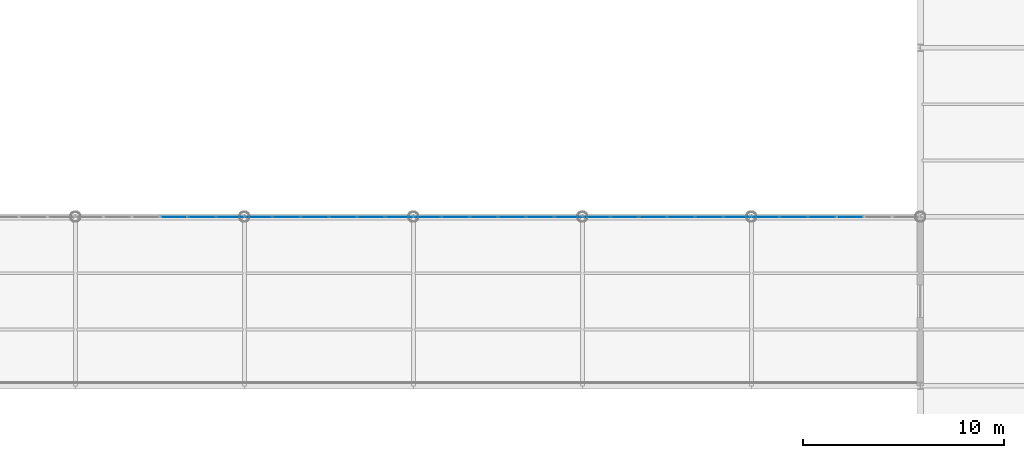
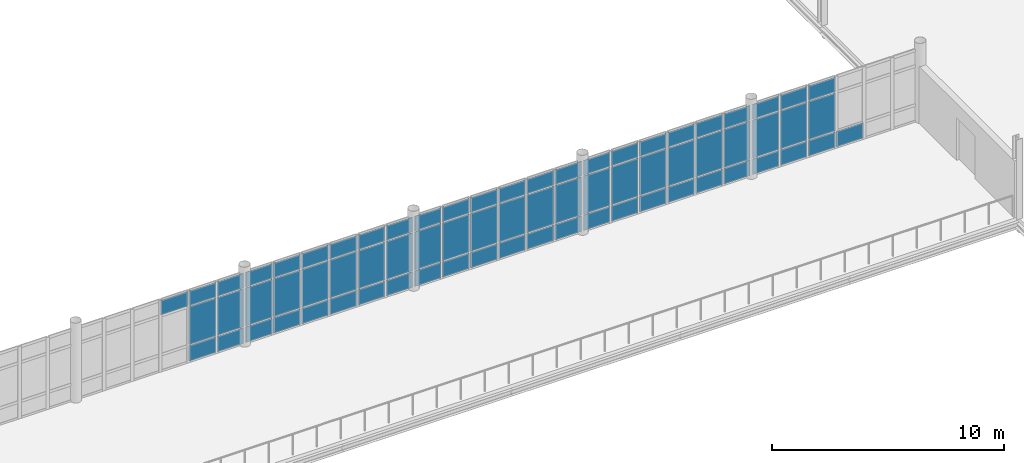
# One storey, part 117 of 163: 71 plates, 5 elements without a shape of their own.
"""IFC4 building model written with IfcOpenShell, lengths in metres."""

from ifc_helpers import new_model, si_unit, direction, frame, origin, origin_2d, place, context, subcontext, project, spatial, rectangle, extrude, material, layer, layer_set, type_object, element, aggregate, save


model = new_model("IFC4")

# Units and contexts
model_context = context("Model", 3, precision=1e-05, world=origin(), true_north=direction((0.0, 1.0)))
body_context = subcontext(model_context, "Body", "Model", "MODEL_VIEW")
ifc_project = project(units=[si_unit("LENGTHUNIT", "METRE"), si_unit("AREAUNIT", "SQUARE_METRE"), si_unit("VOLUMEUNIT", "CUBIC_METRE"), si_unit("PLANEANGLEUNIT", "RADIAN"), si_unit("MASSUNIT", "GRAM", prefix="KILO")], contexts=[model_context])

# Site, building, storey
site_placement = place(None, origin())
site = spatial("IfcSite", under=ifc_project, at=site_placement, CompositionType="ELEMENT")
building_placement = place(site_placement, origin())
building = spatial("IfcBuilding", under=site, at=building_placement, Name="Qalvenar Corner Mobility Hub", CompositionType="ELEMENT")
storey_placement = place(building_placement, frame((0.0, 0.0, 4.800048828125)))
storey = spatial("IfcBuildingStorey", under=building, at=storey_placement, Name="L01", CompositionType="ELEMENT", Elevation=4.800048828125)

# Curtain wall, plates
ifc_material_1 = material(Name="Anodised Aluminium and Low-E Glazing", Category="aluminium")
ifc_layer_1 = layer(ifc_material_1, 0.179931640625)
ifc_layer_set_1 = layer_set([ifc_layer_1], Name="Anodised Aluminium and Low-E Glazing")
curtain_wall_type = type_object("IfcCurtainWallType", Name="CW-CONC-84X42", PredefinedType="NOTDEFINED", material=ifc_layer_set_1)
curtain_wall_1_placement = place(storey_placement, origin())
curtain_wall_1 = element("IfcCurtainWall", 1, at=curtain_wall_1_placement, inside=storey, type_object=curtain_wall_type, Name="Glazed Curtain Wall CW-V1-L01-N2", PredefinedType="NOTDEFINED")
ifc_material_2 = material(Name="Solar-Control Low-E Double Glazing", Category="glass")
ifc_layer_2 = layer(ifc_material_2, 0.028076171875)
ifc_layer_set_2 = layer_set([ifc_layer_2], Name="Solar-Control Low-E Double Glazing")
plate_type = type_object("IfcPlateType", Name="PLT-CWP-GLZ1", PredefinedType="CURTAIN_PANEL", material=ifc_layer_set_2)
plate_1_placement = place(storey_placement, frame((74.885009765625, 33.60009765625, 0.054931640625), z_axis=(0.0, 0.0, 1.0), x_axis=(-1.0, 0.0, 0.0)))
plate_1 = element("IfcPlate", 2, at=plate_1_placement, type_object=plate_type, Name="CW-02 panel 1.1", PredefinedType="CURTAIN_PANEL", context=body_context, shape_type="SweptSolid", body=[
    extrude(rectangle(XDim=1.31005859375, YDim=0.028076171875, at=origin_2d()), origin(), (0.0, 0.0, 1.0), 0.8173828125),
])
plate_2_placement = place(storey_placement, frame((74.885009765625, 33.60009765625, 0.927490234375), z_axis=(0.0, 0.0, 1.0), x_axis=(-1.0, 0.0, 0.0)))
plate_2 = element("IfcPlate", 3, at=plate_2_placement, type_object=plate_type, Name="CW-02 panel 1.2", PredefinedType="CURTAIN_PANEL", context=body_context, shape_type="SweptSolid", body=[
    extrude(rectangle(XDim=1.31005859375, YDim=0.028076171875, at=origin_2d()), origin(), (0.0, 0.0, 1.0), 1.9951171875),
])
plate_3_placement = place(storey_placement, frame((74.885009765625, 33.60009765625, 2.977294921875), z_axis=(0.0, 0.0, 1.0), x_axis=(-1.0, 0.0, 0.0)))
plate_3 = element("IfcPlate", 4, at=plate_3_placement, type_object=plate_type, Name="CW-02 panel 1.3", PredefinedType="CURTAIN_PANEL", context=body_context, shape_type="SweptSolid", body=[
    extrude(rectangle(XDim=1.31005859375, YDim=0.028076171875, at=origin_2d()), origin(), (0.0, 0.0, 1.0), 0.767578125),
])
plate_4_placement = place(storey_placement, frame((73.5, 33.60009765625, 0.054931640625), z_axis=(0.0, 0.0, 1.0), x_axis=(-1.0, 0.0, 0.0)))
plate_4 = element("IfcPlate", 5, at=plate_4_placement, type_object=plate_type, Name="CW-02 panel 2.1", PredefinedType="CURTAIN_PANEL", context=body_context, shape_type="SweptSolid", body=[
    extrude(rectangle(XDim=1.340087890625, YDim=0.028076171875, at=origin_2d()), origin(), (0.0, 0.0, 1.0), 0.8173828125),
])
plate_5_placement = place(storey_placement, frame((73.5, 33.60009765625, 0.927490234375), z_axis=(0.0, 0.0, 1.0), x_axis=(-1.0, 0.0, 0.0)))
plate_5 = element("IfcPlate", 6, at=plate_5_placement, type_object=plate_type, Name="CW-02 panel 2.2", PredefinedType="CURTAIN_PANEL", context=body_context, shape_type="SweptSolid", body=[
    extrude(rectangle(XDim=1.340087890625, YDim=0.028076171875, at=origin_2d()), origin(), (0.0, 0.0, 1.0), 1.9951171875),
])
plate_6_placement = place(storey_placement, frame((73.5, 33.60009765625, 2.977294921875), z_axis=(0.0, 0.0, 1.0), x_axis=(-1.0, 0.0, 0.0)))
plate_6 = element("IfcPlate", 7, at=plate_6_placement, type_object=plate_type, Name="CW-02 panel 2.3", PredefinedType="CURTAIN_PANEL", context=body_context, shape_type="SweptSolid", body=[
    extrude(rectangle(XDim=1.340087890625, YDim=0.028076171875, at=origin_2d()), origin(), (0.0, 0.0, 1.0), 0.767578125),
])
plate_7_placement = place(storey_placement, frame((72.10009765625, 33.60009765625, 2.977294921875), z_axis=(0.0, 0.0, 1.0), x_axis=(-1.0, 0.0, 0.0)))
plate_7 = element("IfcPlate", 8, at=plate_7_placement, type_object=plate_type, Name="CW-02 panel 3.3", PredefinedType="CURTAIN_PANEL", context=body_context, shape_type="SweptSolid", body=[
    extrude(rectangle(XDim=1.340087890625, YDim=0.028076171875, at=origin_2d()), origin(), (0.0, 0.0, 1.0), 0.767578125),
])
aggregate(curtain_wall_1, [plate_1, plate_2, plate_3, plate_4, plate_5, plate_6, plate_7])

curtain_wall_2_placement = place(storey_placement, origin())
curtain_wall_2 = element("IfcCurtainWall", 9, at=curtain_wall_2_placement, inside=storey, type_object=curtain_wall_type, Name="Glazed Curtain Wall CW-V1-L01-N3", PredefinedType="NOTDEFINED")
plate_8_placement = place(storey_placement, frame((83.284912109375, 33.60009765625, 0.054931640625), z_axis=(0.0, 0.0, 1.0), x_axis=(-1.0, 0.0, 0.0)))
plate_8 = element("IfcPlate", 10, at=plate_8_placement, type_object=plate_type, Name="CW-02 panel 1.1", PredefinedType="CURTAIN_PANEL", context=body_context, shape_type="SweptSolid", body=[
    extrude(rectangle(XDim=1.31005859375, YDim=0.028076171875, at=origin_2d()), origin(), (0.0, 0.0, 1.0), 0.8173828125),
])
plate_9_placement = place(storey_placement, frame((83.284912109375, 33.60009765625, 0.927490234375), z_axis=(0.0, 0.0, 1.0), x_axis=(-1.0, 0.0, 0.0)))
plate_9 = element("IfcPlate", 11, at=plate_9_placement, type_object=plate_type, Name="CW-02 panel 1.2", PredefinedType="CURTAIN_PANEL", context=body_context, shape_type="SweptSolid", body=[
    extrude(rectangle(XDim=1.31005859375, YDim=0.028076171875, at=origin_2d()), origin(), (0.0, 0.0, 1.0), 1.9951171875),
])
plate_10_placement = place(storey_placement, frame((83.284912109375, 33.60009765625, 2.977294921875), z_axis=(0.0, 0.0, 1.0), x_axis=(-1.0, 0.0, 0.0)))
plate_10 = element("IfcPlate", 12, at=plate_10_placement, type_object=plate_type, Name="CW-02 panel 1.3", PredefinedType="CURTAIN_PANEL", context=body_context, shape_type="SweptSolid", body=[
    extrude(rectangle(XDim=1.31005859375, YDim=0.028076171875, at=origin_2d()), origin(), (0.0, 0.0, 1.0), 0.767578125),
])
plate_11_placement = place(storey_placement, frame((81.89990234375, 33.60009765625, 0.054931640625), z_axis=(0.0, 0.0, 1.0), x_axis=(-1.0, 0.0, 0.0)))
plate_11 = element("IfcPlate", 13, at=plate_11_placement, type_object=plate_type, Name="CW-02 panel 2.1", PredefinedType="CURTAIN_PANEL", context=body_context, shape_type="SweptSolid", body=[
    extrude(rectangle(XDim=1.340087890625, YDim=0.028076171875, at=origin_2d()), origin(), (0.0, 0.0, 1.0), 0.8173828125),
])
plate_12_placement = place(storey_placement, frame((81.89990234375, 33.60009765625, 0.927490234375), z_axis=(0.0, 0.0, 1.0), x_axis=(-1.0, 0.0, 0.0)))
plate_12 = element("IfcPlate", 14, at=plate_12_placement, type_object=plate_type, Name="CW-02 panel 2.2", PredefinedType="CURTAIN_PANEL", context=body_context, shape_type="SweptSolid", body=[
    extrude(rectangle(XDim=1.340087890625, YDim=0.028076171875, at=origin_2d()), origin(), (0.0, 0.0, 1.0), 1.9951171875),
])
plate_13_placement = place(storey_placement, frame((81.89990234375, 33.60009765625, 2.977294921875), z_axis=(0.0, 0.0, 1.0), x_axis=(-1.0, 0.0, 0.0)))
plate_13 = element("IfcPlate", 15, at=plate_13_placement, type_object=plate_type, Name="CW-02 panel 2.3", PredefinedType="CURTAIN_PANEL", context=body_context, shape_type="SweptSolid", body=[
    extrude(rectangle(XDim=1.340087890625, YDim=0.028076171875, at=origin_2d()), origin(), (0.0, 0.0, 1.0), 0.767578125),
])
plate_14_placement = place(storey_placement, frame((80.5, 33.60009765625, 0.054931640625), z_axis=(0.0, 0.0, 1.0), x_axis=(-1.0, 0.0, 0.0)))
plate_14 = element("IfcPlate", 16, at=plate_14_placement, type_object=plate_type, Name="CW-02 panel 3.1", PredefinedType="CURTAIN_PANEL", context=body_context, shape_type="SweptSolid", body=[
    extrude(rectangle(XDim=1.340087890625, YDim=0.028076171875, at=origin_2d()), origin(), (0.0, 0.0, 1.0), 0.8173828125),
])
plate_15_placement = place(storey_placement, frame((80.5, 33.60009765625, 0.927490234375), z_axis=(0.0, 0.0, 1.0), x_axis=(-1.0, 0.0, 0.0)))
plate_15 = element("IfcPlate", 17, at=plate_15_placement, type_object=plate_type, Name="CW-02 panel 3.2", PredefinedType="CURTAIN_PANEL", context=body_context, shape_type="SweptSolid", body=[
    extrude(rectangle(XDim=1.340087890625, YDim=0.028076171875, at=origin_2d()), origin(), (0.0, 0.0, 1.0), 1.9951171875),
])
plate_16_placement = place(storey_placement, frame((80.5, 33.60009765625, 2.977294921875), z_axis=(0.0, 0.0, 1.0), x_axis=(-1.0, 0.0, 0.0)))
plate_16 = element("IfcPlate", 18, at=plate_16_placement, type_object=plate_type, Name="CW-02 panel 3.3", PredefinedType="CURTAIN_PANEL", context=body_context, shape_type="SweptSolid", body=[
    extrude(rectangle(XDim=1.340087890625, YDim=0.028076171875, at=origin_2d()), origin(), (0.0, 0.0, 1.0), 0.767578125),
])
plate_17_placement = place(storey_placement, frame((79.10009765625, 33.60009765625, 0.054931640625), z_axis=(0.0, 0.0, 1.0), x_axis=(-1.0, 0.0, 0.0)))
plate_17 = element("IfcPlate", 19, at=plate_17_placement, type_object=plate_type, Name="CW-02 panel 4.1", PredefinedType="CURTAIN_PANEL", context=body_context, shape_type="SweptSolid", body=[
    extrude(rectangle(XDim=1.340087890625, YDim=0.028076171875, at=origin_2d()), origin(), (0.0, 0.0, 1.0), 0.8173828125),
])
plate_18_placement = place(storey_placement, frame((79.10009765625, 33.60009765625, 0.927490234375), z_axis=(0.0, 0.0, 1.0), x_axis=(-1.0, 0.0, 0.0)))
plate_18 = element("IfcPlate", 20, at=plate_18_placement, type_object=plate_type, Name="CW-02 panel 4.2", PredefinedType="CURTAIN_PANEL", context=body_context, shape_type="SweptSolid", body=[
    extrude(rectangle(XDim=1.340087890625, YDim=0.028076171875, at=origin_2d()), origin(), (0.0, 0.0, 1.0), 1.9951171875),
])
plate_19_placement = place(storey_placement, frame((79.10009765625, 33.60009765625, 2.977294921875), z_axis=(0.0, 0.0, 1.0), x_axis=(-1.0, 0.0, 0.0)))
plate_19 = element("IfcPlate", 21, at=plate_19_placement, type_object=plate_type, Name="CW-02 panel 4.3", PredefinedType="CURTAIN_PANEL", context=body_context, shape_type="SweptSolid", body=[
    extrude(rectangle(XDim=1.340087890625, YDim=0.028076171875, at=origin_2d()), origin(), (0.0, 0.0, 1.0), 0.767578125),
])
plate_20_placement = place(storey_placement, frame((77.699951171875, 33.60009765625, 0.054931640625), z_axis=(0.0, 0.0, 1.0), x_axis=(-1.0, 0.0, 0.0)))
plate_20 = element("IfcPlate", 22, at=plate_20_placement, type_object=plate_type, Name="CW-02 panel 5.1", PredefinedType="CURTAIN_PANEL", context=body_context, shape_type="SweptSolid", body=[
    extrude(rectangle(XDim=1.340087890625, YDim=0.028076171875, at=origin_2d()), origin(), (0.0, 0.0, 1.0), 0.8173828125),
])
plate_21_placement = place(storey_placement, frame((77.699951171875, 33.60009765625, 0.927490234375), z_axis=(0.0, 0.0, 1.0), x_axis=(-1.0, 0.0, 0.0)))
plate_21 = element("IfcPlate", 23, at=plate_21_placement, type_object=plate_type, Name="CW-02 panel 5.2", PredefinedType="CURTAIN_PANEL", context=body_context, shape_type="SweptSolid", body=[
    extrude(rectangle(XDim=1.340087890625, YDim=0.028076171875, at=origin_2d()), origin(), (0.0, 0.0, 1.0), 1.9951171875),
])
plate_22_placement = place(storey_placement, frame((77.699951171875, 33.60009765625, 2.977294921875), z_axis=(0.0, 0.0, 1.0), x_axis=(-1.0, 0.0, 0.0)))
plate_22 = element("IfcPlate", 24, at=plate_22_placement, type_object=plate_type, Name="CW-02 panel 5.3", PredefinedType="CURTAIN_PANEL", context=body_context, shape_type="SweptSolid", body=[
    extrude(rectangle(XDim=1.340087890625, YDim=0.028076171875, at=origin_2d()), origin(), (0.0, 0.0, 1.0), 0.767578125),
])
plate_23_placement = place(storey_placement, frame((76.31494140625, 33.60009765625, 0.054931640625), z_axis=(0.0, 0.0, 1.0), x_axis=(-1.0, 0.0, 0.0)))
plate_23 = element("IfcPlate", 25, at=plate_23_placement, type_object=plate_type, Name="CW-02 panel 6.1", PredefinedType="CURTAIN_PANEL", context=body_context, shape_type="SweptSolid", body=[
    extrude(rectangle(XDim=1.31005859375, YDim=0.028076171875, at=origin_2d()), origin(), (0.0, 0.0, 1.0), 0.8173828125),
])
plate_24_placement = place(storey_placement, frame((76.31494140625, 33.60009765625, 0.927490234375), z_axis=(0.0, 0.0, 1.0), x_axis=(-1.0, 0.0, 0.0)))
plate_24 = element("IfcPlate", 26, at=plate_24_placement, type_object=plate_type, Name="CW-02 panel 6.2", PredefinedType="CURTAIN_PANEL", context=body_context, shape_type="SweptSolid", body=[
    extrude(rectangle(XDim=1.31005859375, YDim=0.028076171875, at=origin_2d()), origin(), (0.0, 0.0, 1.0), 1.9951171875),
])
plate_25_placement = place(storey_placement, frame((76.31494140625, 33.60009765625, 2.977294921875), z_axis=(0.0, 0.0, 1.0), x_axis=(-1.0, 0.0, 0.0)))
plate_25 = element("IfcPlate", 27, at=plate_25_placement, type_object=plate_type, Name="CW-02 panel 6.3", PredefinedType="CURTAIN_PANEL", context=body_context, shape_type="SweptSolid", body=[
    extrude(rectangle(XDim=1.31005859375, YDim=0.028076171875, at=origin_2d()), origin(), (0.0, 0.0, 1.0), 0.767578125),
])
aggregate(curtain_wall_2, [plate_8, plate_9, plate_10, plate_11, plate_12, plate_13, plate_14, plate_15, plate_16, plate_17, plate_18, plate_19, plate_20, plate_21, plate_22, plate_23, plate_24, plate_25])

curtain_wall_3_placement = place(storey_placement, origin())
curtain_wall_3 = element("IfcCurtainWall", 28, at=curtain_wall_3_placement, inside=storey, type_object=curtain_wall_type, Name="Glazed Curtain Wall CW-V1-L01-N4", PredefinedType="NOTDEFINED")
plate_26_placement = place(storey_placement, frame((91.68505859375, 33.60009765625, 0.054931640625), z_axis=(0.0, 0.0, 1.0), x_axis=(-1.0, 0.0, 0.0)))
plate_26 = element("IfcPlate", 29, at=plate_26_placement, type_object=plate_type, Name="CW-02 panel 1.1", PredefinedType="CURTAIN_PANEL", context=body_context, shape_type="SweptSolid", body=[
    extrude(rectangle(XDim=1.31005859375, YDim=0.028076171875, at=origin_2d()), origin(), (0.0, 0.0, 1.0), 0.8173828125),
])
plate_27_placement = place(storey_placement, frame((91.68505859375, 33.60009765625, 0.927490234375), z_axis=(0.0, 0.0, 1.0), x_axis=(-1.0, 0.0, 0.0)))
plate_27 = element("IfcPlate", 30, at=plate_27_placement, type_object=plate_type, Name="CW-02 panel 1.2", PredefinedType="CURTAIN_PANEL", context=body_context, shape_type="SweptSolid", body=[
    extrude(rectangle(XDim=1.31005859375, YDim=0.028076171875, at=origin_2d()), origin(), (0.0, 0.0, 1.0), 1.9951171875),
])
plate_28_placement = place(storey_placement, frame((91.68505859375, 33.60009765625, 2.977294921875), z_axis=(0.0, 0.0, 1.0), x_axis=(-1.0, 0.0, 0.0)))
plate_28 = element("IfcPlate", 31, at=plate_28_placement, type_object=plate_type, Name="CW-02 panel 1.3", PredefinedType="CURTAIN_PANEL", context=body_context, shape_type="SweptSolid", body=[
    extrude(rectangle(XDim=1.31005859375, YDim=0.028076171875, at=origin_2d()), origin(), (0.0, 0.0, 1.0), 0.767578125),
])
plate_29_placement = place(storey_placement, frame((90.300048828125, 33.60009765625, 0.054931640625), z_axis=(0.0, 0.0, 1.0), x_axis=(-1.0, 0.0, 0.0)))
plate_29 = element("IfcPlate", 32, at=plate_29_placement, type_object=plate_type, Name="CW-02 panel 2.1", PredefinedType="CURTAIN_PANEL", context=body_context, shape_type="SweptSolid", body=[
    extrude(rectangle(XDim=1.340087890625, YDim=0.028076171875, at=origin_2d()), origin(), (0.0, 0.0, 1.0), 0.8173828125),
])
plate_30_placement = place(storey_placement, frame((90.300048828125, 33.60009765625, 0.927490234375), z_axis=(0.0, 0.0, 1.0), x_axis=(-1.0, 0.0, 0.0)))
plate_30 = element("IfcPlate", 33, at=plate_30_placement, type_object=plate_type, Name="CW-02 panel 2.2", PredefinedType="CURTAIN_PANEL", context=body_context, shape_type="SweptSolid", body=[
    extrude(rectangle(XDim=1.340087890625, YDim=0.028076171875, at=origin_2d()), origin(), (0.0, 0.0, 1.0), 1.9951171875),
])
plate_31_placement = place(storey_placement, frame((90.300048828125, 33.60009765625, 2.977294921875), z_axis=(0.0, 0.0, 1.0), x_axis=(-1.0, 0.0, 0.0)))
plate_31 = element("IfcPlate", 34, at=plate_31_placement, type_object=plate_type, Name="CW-02 panel 2.3", PredefinedType="CURTAIN_PANEL", context=body_context, shape_type="SweptSolid", body=[
    extrude(rectangle(XDim=1.340087890625, YDim=0.028076171875, at=origin_2d()), origin(), (0.0, 0.0, 1.0), 0.767578125),
])
plate_32_placement = place(storey_placement, frame((88.89990234375, 33.60009765625, 0.054931640625), z_axis=(0.0, 0.0, 1.0), x_axis=(-1.0, 0.0, 0.0)))
plate_32 = element("IfcPlate", 35, at=plate_32_placement, type_object=plate_type, Name="CW-02 panel 3.1", PredefinedType="CURTAIN_PANEL", context=body_context, shape_type="SweptSolid", body=[
    extrude(rectangle(XDim=1.340087890625, YDim=0.028076171875, at=origin_2d()), origin(), (0.0, 0.0, 1.0), 0.8173828125),
])
plate_33_placement = place(storey_placement, frame((88.89990234375, 33.60009765625, 0.927490234375), z_axis=(0.0, 0.0, 1.0), x_axis=(-1.0, 0.0, 0.0)))
plate_33 = element("IfcPlate", 36, at=plate_33_placement, type_object=plate_type, Name="CW-02 panel 3.2", PredefinedType="CURTAIN_PANEL", context=body_context, shape_type="SweptSolid", body=[
    extrude(rectangle(XDim=1.340087890625, YDim=0.028076171875, at=origin_2d()), origin(), (0.0, 0.0, 1.0), 1.9951171875),
])
plate_34_placement = place(storey_placement, frame((88.89990234375, 33.60009765625, 2.977294921875), z_axis=(0.0, 0.0, 1.0), x_axis=(-1.0, 0.0, 0.0)))
plate_34 = element("IfcPlate", 37, at=plate_34_placement, type_object=plate_type, Name="CW-02 panel 3.3", PredefinedType="CURTAIN_PANEL", context=body_context, shape_type="SweptSolid", body=[
    extrude(rectangle(XDim=1.340087890625, YDim=0.028076171875, at=origin_2d()), origin(), (0.0, 0.0, 1.0), 0.767578125),
])
plate_35_placement = place(storey_placement, frame((87.5, 33.60009765625, 0.054931640625), z_axis=(0.0, 0.0, 1.0), x_axis=(-1.0, 0.0, 0.0)))
plate_35 = element("IfcPlate", 38, at=plate_35_placement, type_object=plate_type, Name="CW-02 panel 4.1", PredefinedType="CURTAIN_PANEL", context=body_context, shape_type="SweptSolid", body=[
    extrude(rectangle(XDim=1.340087890625, YDim=0.028076171875, at=origin_2d()), origin(), (0.0, 0.0, 1.0), 0.8173828125),
])
plate_36_placement = place(storey_placement, frame((87.5, 33.60009765625, 0.927490234375), z_axis=(0.0, 0.0, 1.0), x_axis=(-1.0, 0.0, 0.0)))
plate_36 = element("IfcPlate", 39, at=plate_36_placement, type_object=plate_type, Name="CW-02 panel 4.2", PredefinedType="CURTAIN_PANEL", context=body_context, shape_type="SweptSolid", body=[
    extrude(rectangle(XDim=1.340087890625, YDim=0.028076171875, at=origin_2d()), origin(), (0.0, 0.0, 1.0), 1.9951171875),
])
plate_37_placement = place(storey_placement, frame((87.5, 33.60009765625, 2.977294921875), z_axis=(0.0, 0.0, 1.0), x_axis=(-1.0, 0.0, 0.0)))
plate_37 = element("IfcPlate", 40, at=plate_37_placement, type_object=plate_type, Name="CW-02 panel 4.3", PredefinedType="CURTAIN_PANEL", context=body_context, shape_type="SweptSolid", body=[
    extrude(rectangle(XDim=1.340087890625, YDim=0.028076171875, at=origin_2d()), origin(), (0.0, 0.0, 1.0), 0.767578125),
])
plate_38_placement = place(storey_placement, frame((86.10009765625, 33.60009765625, 0.054931640625), z_axis=(0.0, 0.0, 1.0), x_axis=(-1.0, 0.0, 0.0)))
plate_38 = element("IfcPlate", 41, at=plate_38_placement, type_object=plate_type, Name="CW-02 panel 5.1", PredefinedType="CURTAIN_PANEL", context=body_context, shape_type="SweptSolid", body=[
    extrude(rectangle(XDim=1.340087890625, YDim=0.028076171875, at=origin_2d()), origin(), (0.0, 0.0, 1.0), 0.8173828125),
])
plate_39_placement = place(storey_placement, frame((86.10009765625, 33.60009765625, 0.927490234375), z_axis=(0.0, 0.0, 1.0), x_axis=(-1.0, 0.0, 0.0)))
plate_39 = element("IfcPlate", 42, at=plate_39_placement, type_object=plate_type, Name="CW-02 panel 5.2", PredefinedType="CURTAIN_PANEL", context=body_context, shape_type="SweptSolid", body=[
    extrude(rectangle(XDim=1.340087890625, YDim=0.028076171875, at=origin_2d()), origin(), (0.0, 0.0, 1.0), 1.9951171875),
])
plate_40_placement = place(storey_placement, frame((86.10009765625, 33.60009765625, 2.977294921875), z_axis=(0.0, 0.0, 1.0), x_axis=(-1.0, 0.0, 0.0)))
plate_40 = element("IfcPlate", 43, at=plate_40_placement, type_object=plate_type, Name="CW-02 panel 5.3", PredefinedType="CURTAIN_PANEL", context=body_context, shape_type="SweptSolid", body=[
    extrude(rectangle(XDim=1.340087890625, YDim=0.028076171875, at=origin_2d()), origin(), (0.0, 0.0, 1.0), 0.767578125),
])
plate_41_placement = place(storey_placement, frame((84.715087890625, 33.60009765625, 0.054931640625), z_axis=(0.0, 0.0, 1.0), x_axis=(-1.0, 0.0, 0.0)))
plate_41 = element("IfcPlate", 44, at=plate_41_placement, type_object=plate_type, Name="CW-02 panel 6.1", PredefinedType="CURTAIN_PANEL", context=body_context, shape_type="SweptSolid", body=[
    extrude(rectangle(XDim=1.31005859375, YDim=0.028076171875, at=origin_2d()), origin(), (0.0, 0.0, 1.0), 0.8173828125),
])
plate_42_placement = place(storey_placement, frame((84.715087890625, 33.60009765625, 0.927490234375), z_axis=(0.0, 0.0, 1.0), x_axis=(-1.0, 0.0, 0.0)))
plate_42 = element("IfcPlate", 45, at=plate_42_placement, type_object=plate_type, Name="CW-02 panel 6.2", PredefinedType="CURTAIN_PANEL", context=body_context, shape_type="SweptSolid", body=[
    extrude(rectangle(XDim=1.31005859375, YDim=0.028076171875, at=origin_2d()), origin(), (0.0, 0.0, 1.0), 1.9951171875),
])
plate_43_placement = place(storey_placement, frame((84.715087890625, 33.60009765625, 2.977294921875), z_axis=(0.0, 0.0, 1.0), x_axis=(-1.0, 0.0, 0.0)))
plate_43 = element("IfcPlate", 46, at=plate_43_placement, type_object=plate_type, Name="CW-02 panel 6.3", PredefinedType="CURTAIN_PANEL", context=body_context, shape_type="SweptSolid", body=[
    extrude(rectangle(XDim=1.31005859375, YDim=0.028076171875, at=origin_2d()), origin(), (0.0, 0.0, 1.0), 0.767578125),
])
aggregate(curtain_wall_3, [plate_26, plate_27, plate_28, plate_29, plate_30, plate_31, plate_32, plate_33, plate_34, plate_35, plate_36, plate_37, plate_38, plate_39, plate_40, plate_41, plate_42, plate_43])

curtain_wall_4_placement = place(storey_placement, origin())
curtain_wall_4 = element("IfcCurtainWall", 47, at=curtain_wall_4_placement, inside=storey, type_object=curtain_wall_type, Name="Glazed Curtain Wall CW-V1-L01-N5", PredefinedType="NOTDEFINED")
plate_44_placement = place(storey_placement, frame((100.0849609375, 33.60009765625, 0.054931640625), z_axis=(0.0, 0.0, 1.0), x_axis=(-1.0, 0.0, 0.0)))
plate_44 = element("IfcPlate", 48, at=plate_44_placement, type_object=plate_type, Name="CW-02 panel 1.1", PredefinedType="CURTAIN_PANEL", context=body_context, shape_type="SweptSolid", body=[
    extrude(rectangle(XDim=1.31005859375, YDim=0.028076171875, at=origin_2d()), origin(), (0.0, 0.0, 1.0), 0.8173828125),
])
plate_45_placement = place(storey_placement, frame((100.0849609375, 33.60009765625, 0.927490234375), z_axis=(0.0, 0.0, 1.0), x_axis=(-1.0, 0.0, 0.0)))
plate_45 = element("IfcPlate", 49, at=plate_45_placement, type_object=plate_type, Name="CW-02 panel 1.2", PredefinedType="CURTAIN_PANEL", context=body_context, shape_type="SweptSolid", body=[
    extrude(rectangle(XDim=1.31005859375, YDim=0.028076171875, at=origin_2d()), origin(), (0.0, 0.0, 1.0), 1.9951171875),
])
plate_46_placement = place(storey_placement, frame((100.0849609375, 33.60009765625, 2.977294921875), z_axis=(0.0, 0.0, 1.0), x_axis=(-1.0, 0.0, 0.0)))
plate_46 = element("IfcPlate", 50, at=plate_46_placement, type_object=plate_type, Name="CW-02 panel 1.3", PredefinedType="CURTAIN_PANEL", context=body_context, shape_type="SweptSolid", body=[
    extrude(rectangle(XDim=1.31005859375, YDim=0.028076171875, at=origin_2d()), origin(), (0.0, 0.0, 1.0), 0.767578125),
])
plate_47_placement = place(storey_placement, frame((98.699951171875, 33.60009765625, 0.054931640625), z_axis=(0.0, 0.0, 1.0), x_axis=(-1.0, 0.0, 0.0)))
plate_47 = element("IfcPlate", 51, at=plate_47_placement, type_object=plate_type, Name="CW-02 panel 2.1", PredefinedType="CURTAIN_PANEL", context=body_context, shape_type="SweptSolid", body=[
    extrude(rectangle(XDim=1.340087890625, YDim=0.028076171875, at=origin_2d()), origin(), (0.0, 0.0, 1.0), 0.8173828125),
])
plate_48_placement = place(storey_placement, frame((98.699951171875, 33.60009765625, 0.927490234375), z_axis=(0.0, 0.0, 1.0), x_axis=(-1.0, 0.0, 0.0)))
plate_48 = element("IfcPlate", 52, at=plate_48_placement, type_object=plate_type, Name="CW-02 panel 2.2", PredefinedType="CURTAIN_PANEL", context=body_context, shape_type="SweptSolid", body=[
    extrude(rectangle(XDim=1.340087890625, YDim=0.028076171875, at=origin_2d()), origin(), (0.0, 0.0, 1.0), 1.9951171875),
])
plate_49_placement = place(storey_placement, frame((98.699951171875, 33.60009765625, 2.977294921875), z_axis=(0.0, 0.0, 1.0), x_axis=(-1.0, 0.0, 0.0)))
plate_49 = element("IfcPlate", 53, at=plate_49_placement, type_object=plate_type, Name="CW-02 panel 2.3", PredefinedType="CURTAIN_PANEL", context=body_context, shape_type="SweptSolid", body=[
    extrude(rectangle(XDim=1.340087890625, YDim=0.028076171875, at=origin_2d()), origin(), (0.0, 0.0, 1.0), 0.767578125),
])
plate_50_placement = place(storey_placement, frame((97.300048828125, 33.60009765625, 0.054931640625), z_axis=(0.0, 0.0, 1.0), x_axis=(-1.0, 0.0, 0.0)))
plate_50 = element("IfcPlate", 54, at=plate_50_placement, type_object=plate_type, Name="CW-02 panel 3.1", PredefinedType="CURTAIN_PANEL", context=body_context, shape_type="SweptSolid", body=[
    extrude(rectangle(XDim=1.340087890625, YDim=0.028076171875, at=origin_2d()), origin(), (0.0, 0.0, 1.0), 0.8173828125),
])
plate_51_placement = place(storey_placement, frame((97.300048828125, 33.60009765625, 0.927490234375), z_axis=(0.0, 0.0, 1.0), x_axis=(-1.0, 0.0, 0.0)))
plate_51 = element("IfcPlate", 55, at=plate_51_placement, type_object=plate_type, Name="CW-02 panel 3.2", PredefinedType="CURTAIN_PANEL", context=body_context, shape_type="SweptSolid", body=[
    extrude(rectangle(XDim=1.340087890625, YDim=0.028076171875, at=origin_2d()), origin(), (0.0, 0.0, 1.0), 1.9951171875),
])
plate_52_placement = place(storey_placement, frame((97.300048828125, 33.60009765625, 2.977294921875), z_axis=(0.0, 0.0, 1.0), x_axis=(-1.0, 0.0, 0.0)))
plate_52 = element("IfcPlate", 56, at=plate_52_placement, type_object=plate_type, Name="CW-02 panel 3.3", PredefinedType="CURTAIN_PANEL", context=body_context, shape_type="SweptSolid", body=[
    extrude(rectangle(XDim=1.340087890625, YDim=0.028076171875, at=origin_2d()), origin(), (0.0, 0.0, 1.0), 0.767578125),
])
plate_53_placement = place(storey_placement, frame((95.89990234375, 33.60009765625, 0.054931640625), z_axis=(0.0, 0.0, 1.0), x_axis=(-1.0, 0.0, 0.0)))
plate_53 = element("IfcPlate", 57, at=plate_53_placement, type_object=plate_type, Name="CW-02 panel 4.1", PredefinedType="CURTAIN_PANEL", context=body_context, shape_type="SweptSolid", body=[
    extrude(rectangle(XDim=1.340087890625, YDim=0.028076171875, at=origin_2d()), origin(), (0.0, 0.0, 1.0), 0.8173828125),
])
plate_54_placement = place(storey_placement, frame((95.89990234375, 33.60009765625, 0.927490234375), z_axis=(0.0, 0.0, 1.0), x_axis=(-1.0, 0.0, 0.0)))
plate_54 = element("IfcPlate", 58, at=plate_54_placement, type_object=plate_type, Name="CW-02 panel 4.2", PredefinedType="CURTAIN_PANEL", context=body_context, shape_type="SweptSolid", body=[
    extrude(rectangle(XDim=1.340087890625, YDim=0.028076171875, at=origin_2d()), origin(), (0.0, 0.0, 1.0), 1.9951171875),
])
plate_55_placement = place(storey_placement, frame((95.89990234375, 33.60009765625, 2.977294921875), z_axis=(0.0, 0.0, 1.0), x_axis=(-1.0, 0.0, 0.0)))
plate_55 = element("IfcPlate", 59, at=plate_55_placement, type_object=plate_type, Name="CW-02 panel 4.3", PredefinedType="CURTAIN_PANEL", context=body_context, shape_type="SweptSolid", body=[
    extrude(rectangle(XDim=1.340087890625, YDim=0.028076171875, at=origin_2d()), origin(), (0.0, 0.0, 1.0), 0.767578125),
])
plate_56_placement = place(storey_placement, frame((94.5, 33.60009765625, 0.054931640625), z_axis=(0.0, 0.0, 1.0), x_axis=(-1.0, 0.0, 0.0)))
plate_56 = element("IfcPlate", 60, at=plate_56_placement, type_object=plate_type, Name="CW-02 panel 5.1", PredefinedType="CURTAIN_PANEL", context=body_context, shape_type="SweptSolid", body=[
    extrude(rectangle(XDim=1.340087890625, YDim=0.028076171875, at=origin_2d()), origin(), (0.0, 0.0, 1.0), 0.8173828125),
])
plate_57_placement = place(storey_placement, frame((94.5, 33.60009765625, 0.927490234375), z_axis=(0.0, 0.0, 1.0), x_axis=(-1.0, 0.0, 0.0)))
plate_57 = element("IfcPlate", 61, at=plate_57_placement, type_object=plate_type, Name="CW-02 panel 5.2", PredefinedType="CURTAIN_PANEL", context=body_context, shape_type="SweptSolid", body=[
    extrude(rectangle(XDim=1.340087890625, YDim=0.028076171875, at=origin_2d()), origin(), (0.0, 0.0, 1.0), 1.9951171875),
])
plate_58_placement = place(storey_placement, frame((94.5, 33.60009765625, 2.977294921875), z_axis=(0.0, 0.0, 1.0), x_axis=(-1.0, 0.0, 0.0)))
plate_58 = element("IfcPlate", 62, at=plate_58_placement, type_object=plate_type, Name="CW-02 panel 5.3", PredefinedType="CURTAIN_PANEL", context=body_context, shape_type="SweptSolid", body=[
    extrude(rectangle(XDim=1.340087890625, YDim=0.028076171875, at=origin_2d()), origin(), (0.0, 0.0, 1.0), 0.767578125),
])
plate_59_placement = place(storey_placement, frame((93.114990234375, 33.60009765625, 0.054931640625), z_axis=(0.0, 0.0, 1.0), x_axis=(-1.0, 0.0, 0.0)))
plate_59 = element("IfcPlate", 63, at=plate_59_placement, type_object=plate_type, Name="CW-02 panel 6.1", PredefinedType="CURTAIN_PANEL", context=body_context, shape_type="SweptSolid", body=[
    extrude(rectangle(XDim=1.31005859375, YDim=0.028076171875, at=origin_2d()), origin(), (0.0, 0.0, 1.0), 0.8173828125),
])
plate_60_placement = place(storey_placement, frame((93.114990234375, 33.60009765625, 0.927490234375), z_axis=(0.0, 0.0, 1.0), x_axis=(-1.0, 0.0, 0.0)))
plate_60 = element("IfcPlate", 64, at=plate_60_placement, type_object=plate_type, Name="CW-02 panel 6.2", PredefinedType="CURTAIN_PANEL", context=body_context, shape_type="SweptSolid", body=[
    extrude(rectangle(XDim=1.31005859375, YDim=0.028076171875, at=origin_2d()), origin(), (0.0, 0.0, 1.0), 1.9951171875),
])
plate_61_placement = place(storey_placement, frame((93.114990234375, 33.60009765625, 2.977294921875), z_axis=(0.0, 0.0, 1.0), x_axis=(-1.0, 0.0, 0.0)))
plate_61 = element("IfcPlate", 65, at=plate_61_placement, type_object=plate_type, Name="CW-02 panel 6.3", PredefinedType="CURTAIN_PANEL", context=body_context, shape_type="SweptSolid", body=[
    extrude(rectangle(XDim=1.31005859375, YDim=0.028076171875, at=origin_2d()), origin(), (0.0, 0.0, 1.0), 0.767578125),
])
aggregate(curtain_wall_4, [plate_44, plate_45, plate_46, plate_47, plate_48, plate_49, plate_50, plate_51, plate_52, plate_53, plate_54, plate_55, plate_56, plate_57, plate_58, plate_59, plate_60, plate_61])

curtain_wall_5_placement = place(storey_placement, origin())
curtain_wall_5 = element("IfcCurtainWall", 66, at=curtain_wall_5_placement, inside=storey, type_object=curtain_wall_type, Name="Glazed Curtain Wall CW-V1-L01-N6", PredefinedType="NOTDEFINED")
plate_62_placement = place(storey_placement, frame((105.699951171875, 33.60009765625, 0.054931640625), z_axis=(0.0, 0.0, 1.0), x_axis=(-1.0, 0.0, 0.0)))
plate_62 = element("IfcPlate", 67, at=plate_62_placement, type_object=plate_type, Name="CW-02 panel 3.1", PredefinedType="CURTAIN_PANEL", context=body_context, shape_type="SweptSolid", body=[
    extrude(rectangle(XDim=1.340087890625, YDim=0.028076171875, at=origin_2d()), origin(), (0.0, 0.0, 1.0), 0.8173828125),
])
plate_63_placement = place(storey_placement, frame((104.300048828125, 33.60009765625, 0.054931640625), z_axis=(0.0, 0.0, 1.0), x_axis=(-1.0, 0.0, 0.0)))
plate_63 = element("IfcPlate", 68, at=plate_63_placement, type_object=plate_type, Name="CW-02 panel 4.1", PredefinedType="CURTAIN_PANEL", context=body_context, shape_type="SweptSolid", body=[
    extrude(rectangle(XDim=1.340087890625, YDim=0.028076171875, at=origin_2d()), origin(), (0.0, 0.0, 1.0), 0.8173828125),
])
plate_64_placement = place(storey_placement, frame((104.300048828125, 33.60009765625, 0.927490234375), z_axis=(0.0, 0.0, 1.0), x_axis=(-1.0, 0.0, 0.0)))
plate_64 = element("IfcPlate", 69, at=plate_64_placement, type_object=plate_type, Name="CW-02 panel 4.2", PredefinedType="CURTAIN_PANEL", context=body_context, shape_type="SweptSolid", body=[
    extrude(rectangle(XDim=1.340087890625, YDim=0.028076171875, at=origin_2d()), origin(), (0.0, 0.0, 1.0), 1.9951171875),
])
plate_65_placement = place(storey_placement, frame((104.300048828125, 33.60009765625, 2.977294921875), z_axis=(0.0, 0.0, 1.0), x_axis=(-1.0, 0.0, 0.0)))
plate_65 = element("IfcPlate", 70, at=plate_65_placement, type_object=plate_type, Name="CW-02 panel 4.3", PredefinedType="CURTAIN_PANEL", context=body_context, shape_type="SweptSolid", body=[
    extrude(rectangle(XDim=1.340087890625, YDim=0.028076171875, at=origin_2d()), origin(), (0.0, 0.0, 1.0), 0.767578125),
])
plate_66_placement = place(storey_placement, frame((102.89990234375, 33.60009765625, 0.054931640625), z_axis=(0.0, 0.0, 1.0), x_axis=(-1.0, 0.0, 0.0)))
plate_66 = element("IfcPlate", 71, at=plate_66_placement, type_object=plate_type, Name="CW-02 panel 5.1", PredefinedType="CURTAIN_PANEL", context=body_context, shape_type="SweptSolid", body=[
    extrude(rectangle(XDim=1.340087890625, YDim=0.028076171875, at=origin_2d()), origin(), (0.0, 0.0, 1.0), 0.8173828125),
])
plate_67_placement = place(storey_placement, frame((102.89990234375, 33.60009765625, 0.927490234375), z_axis=(0.0, 0.0, 1.0), x_axis=(-1.0, 0.0, 0.0)))
plate_67 = element("IfcPlate", 72, at=plate_67_placement, type_object=plate_type, Name="CW-02 panel 5.2", PredefinedType="CURTAIN_PANEL", context=body_context, shape_type="SweptSolid", body=[
    extrude(rectangle(XDim=1.340087890625, YDim=0.028076171875, at=origin_2d()), origin(), (0.0, 0.0, 1.0), 1.9951171875),
])
plate_68_placement = place(storey_placement, frame((102.89990234375, 33.60009765625, 2.977294921875), z_axis=(0.0, 0.0, 1.0), x_axis=(-1.0, 0.0, 0.0)))
plate_68 = element("IfcPlate", 73, at=plate_68_placement, type_object=plate_type, Name="CW-02 panel 5.3", PredefinedType="CURTAIN_PANEL", context=body_context, shape_type="SweptSolid", body=[
    extrude(rectangle(XDim=1.340087890625, YDim=0.028076171875, at=origin_2d()), origin(), (0.0, 0.0, 1.0), 0.767578125),
])
plate_69_placement = place(storey_placement, frame((101.514892578125, 33.60009765625, 0.054931640625), z_axis=(0.0, 0.0, 1.0), x_axis=(-1.0, 0.0, 0.0)))
plate_69 = element("IfcPlate", 74, at=plate_69_placement, type_object=plate_type, Name="CW-02 panel 6.1", PredefinedType="CURTAIN_PANEL", context=body_context, shape_type="SweptSolid", body=[
    extrude(rectangle(XDim=1.31005859375, YDim=0.028076171875, at=origin_2d()), origin(), (0.0, 0.0, 1.0), 0.8173828125),
])
plate_70_placement = place(storey_placement, frame((101.514892578125, 33.60009765625, 0.927490234375), z_axis=(0.0, 0.0, 1.0), x_axis=(-1.0, 0.0, 0.0)))
plate_70 = element("IfcPlate", 75, at=plate_70_placement, type_object=plate_type, Name="CW-02 panel 6.2", PredefinedType="CURTAIN_PANEL", context=body_context, shape_type="SweptSolid", body=[
    extrude(rectangle(XDim=1.31005859375, YDim=0.028076171875, at=origin_2d()), origin(), (0.0, 0.0, 1.0), 1.9951171875),
])
plate_71_placement = place(storey_placement, frame((101.514892578125, 33.60009765625, 2.977294921875), z_axis=(0.0, 0.0, 1.0), x_axis=(-1.0, 0.0, 0.0)))
plate_71 = element("IfcPlate", 76, at=plate_71_placement, type_object=plate_type, Name="CW-02 panel 6.3", PredefinedType="CURTAIN_PANEL", context=body_context, shape_type="SweptSolid", body=[
    extrude(rectangle(XDim=1.31005859375, YDim=0.028076171875, at=origin_2d()), origin(), (0.0, 0.0, 1.0), 0.767578125),
])
aggregate(curtain_wall_5, [plate_62, plate_63, plate_64, plate_65, plate_66, plate_67, plate_68, plate_69, plate_70, plate_71])

save(model, "model.ifc")
